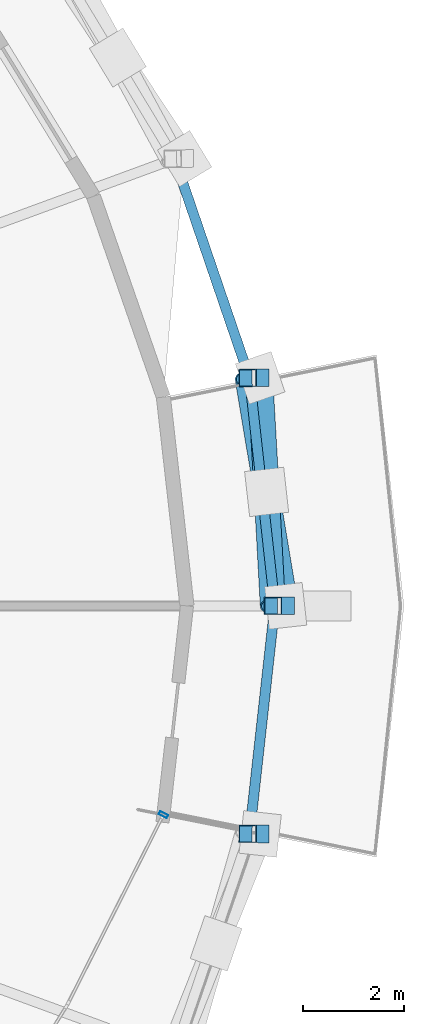
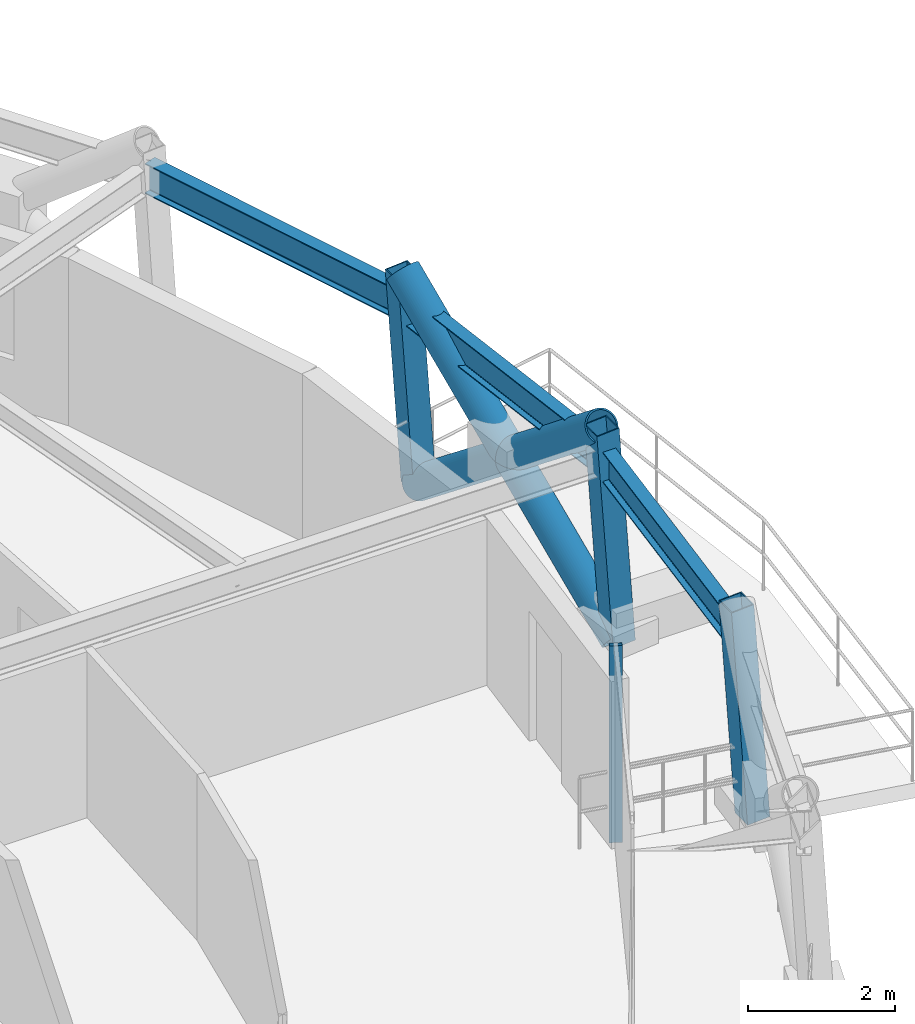
# One storey, part 6 of 14: 7 members, 3 beams, 1 element without a shape of its own.
"""IFC4 building model written with IfcOpenShell, lengths in metres."""

from ifc_helpers import new_model, si_unit, direction, frame, origin, origin_2d, place, context, subcontext, project, spatial, hollow_rectangle, hollow_circle, i_section, extrude, material, layer, layer_set, material_profile, profile_set, type_object, element, aggregate, save


model = new_model("IFC4")

# Units and contexts
model_context = context("Model", 3, precision=1e-05, world=origin(), true_north=direction((0.0, 1.0)))
body_context = subcontext(model_context, "Body", "Model", "MODEL_VIEW")
ifc_project = project(units=[si_unit("LENGTHUNIT", "METRE"), si_unit("AREAUNIT", "SQUARE_METRE"), si_unit("VOLUMEUNIT", "CUBIC_METRE"), si_unit("PLANEANGLEUNIT", "RADIAN"), si_unit("MASSUNIT", "GRAM", prefix="KILO")], contexts=[model_context])

# Site, building, storey
site_placement = place(None, origin())
site = spatial("IfcSite", under=ifc_project, at=site_placement, CompositionType="ELEMENT")
building_placement = place(site_placement, origin())
building = spatial("IfcBuilding", under=site, at=building_placement, Name="Veldorina Hangang Commons", CompositionType="ELEMENT")
storey_placement = place(building_placement, frame((0.0, 0.0, 200.0)))
storey = spatial("IfcBuildingStorey", under=building, at=storey_placement, Name="L52", CompositionType="ELEMENT", Elevation=200.0)

# Beams
ifc_material_1 = material(Name="Steel SM420-TMC", Category="steel")
ifc_material_profile_1 = material_profile(ifc_material_1, i_section(OverallWidth=0.199951171875, OverallDepth=0.5, WebThickness=0.010009765625, FlangeThickness=0.01611328125, FilletRadius=0.01611328125, at=origin_2d()), Name="H-500x200x10x16")
ifc_profile_set_1 = profile_set([ifc_material_profile_1], Name="Steel SM420-TMC")
beam_type = type_object("IfcBeamType", Name="BM-RB500", PredefinedType="BEAM", material=ifc_profile_set_1)
beam_1_placement = place(storey_placement, frame((58.14501953125, 24.0, 3.050048828125), z_axis=(-0.110307984671, 0.993897453723, 0.0), x_axis=(-0.993897453723, -0.110307984671, 0.0)))
element("IfcBeam", 1, at=beam_1_placement, inside=storey, type_object=beam_type, Name="L52 perimeter hoop ring beam 00", PredefinedType="BEAM", context=body_context, shape_type="SweptSolid", body=[
    extrude(i_section(OverallWidth=0.199951171875, OverallDepth=0.5, WebThickness=0.010009765625, FlangeThickness=0.01611328125, FilletRadius=0.01611328125, at=origin_2d()), origin(), (0.0, 0.0, 1.0), 4.554931640625),
])
beam_2_placement = place(storey_placement, frame((57.642578125, 28.527099609375, 3.050048828125), z_axis=(-0.323415104722, 0.946257190217, 0.0), x_axis=(-0.946257190217, -0.323415104722, 0.0)))
element("IfcBeam", 2, at=beam_2_placement, inside=storey, type_object=beam_type, Name="L52 perimeter hoop ring beam 01", PredefinedType="BEAM", context=body_context, shape_type="SweptSolid", body=[
    extrude(i_section(OverallWidth=0.199951171875, OverallDepth=0.5, WebThickness=0.010009765625, FlangeThickness=0.01611328125, FilletRadius=0.01611328125, at=origin_2d()), origin(), (0.0, 0.0, 1.0), 4.600341796875),
])
beam_3_placement = place(storey_placement, frame((57.642578125, 19.472900390625, 3.050048828125), z_axis=(0.110307984671, 0.993897453723, 0.0), x_axis=(-0.993897453723, 0.110307984671, 0.0)))
element("IfcBeam", 3, at=beam_3_placement, inside=storey, type_object=beam_type, Name="L52 perimeter hoop ring beam 31", PredefinedType="BEAM", context=body_context, shape_type="SweptSolid", body=[
    extrude(i_section(OverallWidth=0.199951171875, OverallDepth=0.5, WebThickness=0.010009765625, FlangeThickness=0.01611328125, FilletRadius=0.01611328125, at=origin_2d()), origin(), (0.0, 0.0, 1.0), 4.554931640625),
])

# Curtain wall, member
ifc_material_2 = material(Name="Glass Low-E Triple IGU", Category="glass")
ifc_layer = layer(ifc_material_2, 0.179931640625)
ifc_layer_set = layer_set([ifc_layer], Name="Glass Low-E Triple IGU")
curtain_wall_type = type_object("IfcCurtainWallType", Name="CW-SYS-Z2", PredefinedType="NOTDEFINED", material=ifc_layer_set)
curtain_wall_placement = place(storey_placement, origin())
curtain_wall = element("IfcCurtainWall", 4, at=curtain_wall_placement, inside=storey, type_object=curtain_wall_type, Name="L52 unitised curtain wall CW-L52-R2", PredefinedType="NOTDEFINED")
ifc_material_3 = material(Name="Aluminium Anodized AA6063-T6", Category="aluminium")
ifc_material_profile_2 = material_profile(ifc_material_3, hollow_rectangle(XDim=0.070068359375, YDim=0.179931640625, WallThickness=0.00390625, at=origin_2d()), Name="ALU-RHS-180x70x4")
ifc_profile_set_2 = profile_set([ifc_material_profile_2], Name="Aluminium Anodized AA6063-T6")
member_type_1 = type_object("IfcMemberType", Name="CW-MUL-180", PredefinedType="MULLION", material=ifc_profile_set_2)
member_1_placement = place(storey_placement, frame((55.931640625, 19.853271484375, 0.0), z_axis=(0.0, 0.0, 1.0), x_axis=(-0.450893119182, -0.892577949019, 0.0)))
member_1 = element("IfcMember", 5, at=member_1_placement, type_object=member_type_1, Name="CW-L52-R2 vertical mullion 2", PredefinedType="MULLION", context=body_context, shape_type="SweptSolid", body=[
    extrude(hollow_rectangle(XDim=0.070068359375, YDim=0.179931640625, WallThickness=0.00390625, at=origin_2d()), origin(), (0.0, 0.0, 1.0), 3.260009765625),
])
aggregate(curtain_wall, [member_1])

# Members
ifc_material_profile_3 = material_profile(ifc_material_1, hollow_circle(Radius=0.25, WallThickness=0.02490234375, at=origin_2d()), Name="CHS-500x25")
ifc_profile_set_3 = profile_set([ifc_material_profile_3], Name="Steel SM420-TMC")
member_type_2 = type_object("IfcMemberType", Name="DG-CHS500", PredefinedType="BRACE", material=ifc_profile_set_3)
member_2_placement = place(storey_placement, frame((58.360595703125, 24.0, 0.0), z_axis=(-0.129627597186, 0.776049492873, 0.617206505685), x_axis=(-0.986334911836, -0.164752668246, 0.0)))
element("IfcMember", 6, at=member_2_placement, inside=storey, type_object=member_type_2, Name="L52 continuous perimeter diagrid brace 00", PredefinedType="BRACE", context=body_context, shape_type="SweptSolid", body=[
    extrude(hollow_circle(Radius=0.25, WallThickness=0.02490234375, at=origin_2d()), origin(), (0.0, 0.0, 1.0), 5.8330078125),
])
member_3_placement = place(storey_placement, frame((57.85400390625, 28.529052734375, 0.0), z_axis=(0.044339659535, -0.782013348867, 0.621682488724), x_axis=(0.998396456351, 0.056608444113, 0.0)))
element("IfcMember", 7, at=member_3_placement, inside=storey, type_object=member_type_2, Name="L52 split perimeter diagrid lower brace 01", PredefinedType="BRACE", context=body_context, shape_type="SweptSolid", body=[
    extrude(hollow_circle(Radius=0.25, WallThickness=0.02490234375, at=origin_2d()), origin(), (0.0, 0.0, 1.0), 2.896240234375),
])
member_4_placement = place(storey_placement, frame((57.982421875, 26.26416015625, 1.800537109375), z_axis=(0.042758438642, -0.782133648841, 0.621641915636), x_axis=(0.998508993316, 0.054587455209, 0.0)))
element("IfcMember", 8, at=member_4_placement, inside=storey, type_object=member_type_2, Name="L52 split perimeter diagrid upper brace 01", PredefinedType="BRACE", context=body_context, shape_type="SweptSolid", body=[
    extrude(hollow_circle(Radius=0.25, WallThickness=0.02490234375, at=origin_2d()), origin(), (0.0, 0.0, 1.0), 2.894775390625),
])
ifc_material_4 = material(Name="Steel SM355-TMC", Category="steel")
ifc_material_profile_4 = material_profile(ifc_material_4, hollow_rectangle(XDim=0.35009765625, YDim=0.35009765625, WallThickness=0.01611328125, at=origin_2d()), Name="SHS-350x350x16")
ifc_profile_set_4 = profile_set([ifc_material_profile_4], Name="Steel SM355-TMC")
member_type_3 = type_object("IfcMemberType", Name="STR-SHS350", PredefinedType="STRUT", material=ifc_profile_set_4)
member_5_placement = place(storey_placement, frame((58.360595703125, 24.0, 0.0), z_axis=(-0.070487467582, 0.0, 0.997512665039), x_axis=(0.0, -1.0, 0.0)))
element("IfcMember", 9, at=member_5_placement, inside=storey, type_object=member_type_3, Name="L52 perimeter ring node post 00", PredefinedType="STRUT", context=body_context, shape_type="SweptSolid", body=[
    extrude(hollow_rectangle(XDim=0.35009765625, YDim=0.35009765625, WallThickness=0.01611328125, at=origin_2d()), origin(), (0.0, 0.0, 1.0), 3.609130859375),
])
for number, where, z_axis, x_axis, name in (
    (10, (57.85400390625, 28.529052734375, 0.0), (-0.069141055943, -0.000676526966, 0.997606664319), (0.009784267445, -0.99995213291, 0.0), "L52 perimeter ring node post 01"),
    (11, (57.85400390625, 19.470947265625, 0.0), (-0.069141055943, 0.000676526966, 0.997606664319), (-0.009784267445, -0.99995213291, 0.0), "L52 perimeter ring node post 31"),
):
    element("IfcMember", number, at=place(storey_placement, frame(where, z_axis=z_axis, x_axis=x_axis)), inside=storey, type_object=member_type_3, Name=name, PredefinedType="STRUT", context=body_context, shape_type="SweptSolid", body=[
        extrude(hollow_rectangle(XDim=0.35009765625, YDim=0.35009765625, WallThickness=0.01611328125, at=origin_2d()), origin(), (0.0, 0.0, 1.0), 3.608642578125),
    ])

save(model, "model.ifc")
